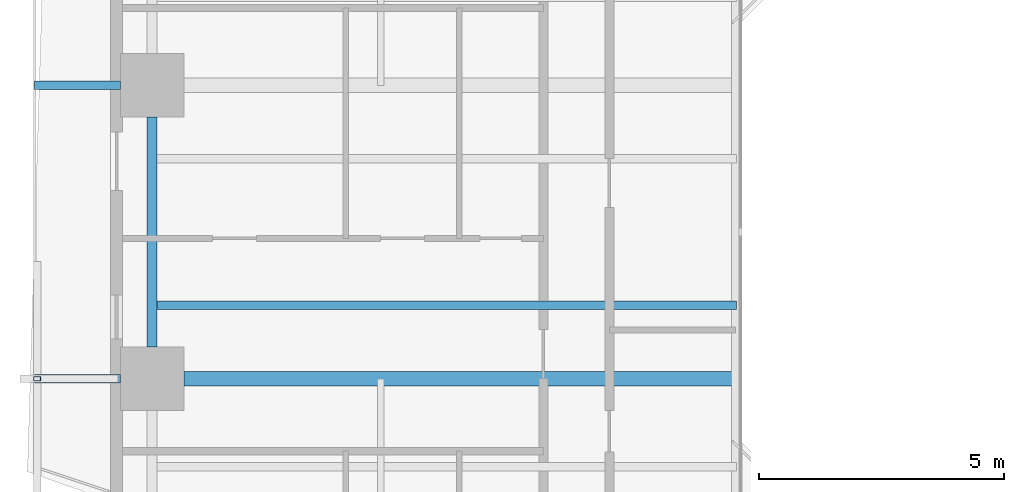
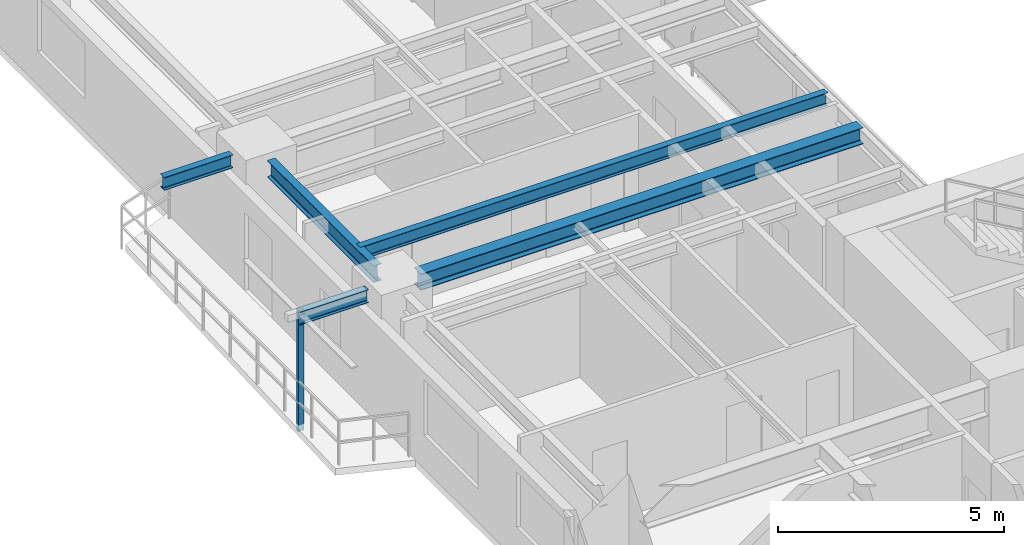
# One storey, part 3 of 24: 5 beams, 1 member.
"""IFC4 building model written with IfcOpenShell, lengths in metres."""

import ifcopenshell
import ifcopenshell.guid

model = None  # the IFC model being written
_history = None  # IfcOwnerHistory: only IFC2X3 demands one
_inside = {}  # id of a spatial element -> (the spatial element, [elements in it])
_under = {}  # id of a project, library or spatial element -> (it, [spatial elements below it])
_declared = {}  # id of a project -> (the project, [libraries it declares])
_typed = {}  # id of a type object -> (the type object, [elements of that type])
_made_of = {}  # id of a material, layer set ... -> (it, [elements and type objects made of it])


def new_model(schema):
    """Start an empty IFC model of exactly this schema.

    Asked for "IFC4X3", IfcOpenShell would pick the latest addendum, in which some entities
    have other attributes; the version numbers below select the first issue.
    IFC2X3 requires an IfcOwnerHistory on every rooted entity: one is made here for all.
    """
    global model, _history
    if schema == "IFC4X3":
        model = ifcopenshell.file(schema_version=(4, 3, 0, 0))
    else:
        model = ifcopenshell.file(schema=schema)
    _inside.clear()
    _under.clear()
    _declared.clear()
    _typed.clear()
    _made_of.clear()
    _history = None
    if model.schema == "IFC2X3":
        org = make("IfcOrganization", Name="unknown")
        user = make(
            "IfcPersonAndOrganization",
            ThePerson=make("IfcPerson", FamilyName="unknown"),
            TheOrganization=org,
        )
        app = make(
            "IfcApplication",
            ApplicationDeveloper=org,
            Version="unknown",
            ApplicationFullName="unknown",
            ApplicationIdentifier="unknown",
        )
        _history = make(
            "IfcOwnerHistory",
            OwningUser=user,
            OwningApplication=app,
            ChangeAction="ADDED",
            CreationDate=0,
        )
    return model


def make(cls, **values):
    """One entity of the class cls with the attributes given. An attribute that is None is left unset."""
    return model.create_entity(
        cls, **{name: value for name, value in values.items() if value is not None}
    )


def rooted(cls, **values):
    """An entity with a GlobalId (a new one), such as an element, a storey or a relation."""
    return make(cls, GlobalId=ifcopenshell.guid.new(), OwnerHistory=_history, **values)


def si_unit(unit_type, name, prefix=None):
    """IfcSIUnit, for example si_unit("LENGTHUNIT", "METRE", prefix="MILLI")."""
    return make("IfcSIUnit", UnitType=unit_type, Prefix=prefix, Name=name)


def assignment(units):
    """IfcUnitAssignment: the units of a project."""
    return None if units is None else make("IfcUnitAssignment", Units=units)


def point(xyz):
    """IfcCartesianPoint."""
    return None if xyz is None else make("IfcCartesianPoint", Coordinates=xyz)


def direction(xyz):
    """IfcDirection."""
    return None if xyz is None else make("IfcDirection", DirectionRatios=xyz)


def frame(location, z_axis=None, x_axis=None):
    """IfcAxis2Placement3D, a coordinate frame: its origin and axes. An axis left out is left unset."""
    return make(
        "IfcAxis2Placement3D",
        Location=point(location),
        Axis=direction(z_axis),
        RefDirection=direction(x_axis),
    )


def frame_2d(location, x_axis=None):
    """IfcAxis2Placement2D, a coordinate frame in the plane: its origin and x axis."""
    return make(
        "IfcAxis2Placement2D", Location=point(location), RefDirection=direction(x_axis)
    )


def origin():
    """The frame at (0, 0, 0) with its axes left unset."""
    return frame((0.0, 0.0, 0.0))


def origin_2d():
    """The frame at (0, 0) in the plane with its x axis left unset."""
    return frame_2d((0.0, 0.0))


def place(relative_to, where):
    """IfcLocalPlacement: puts the frame where relative to a parent placement (None: the world)."""
    return make(
        "IfcLocalPlacement", PlacementRelTo=relative_to, RelativePlacement=where
    )


def context(
    kind, dimensions, precision=None, world=None, true_north=None, identifier=None
):
    """IfcGeometricRepresentationContext, for example the 3D "Model" context."""
    return make(
        "IfcGeometricRepresentationContext",
        ContextIdentifier=identifier,
        ContextType=kind,
        CoordinateSpaceDimension=dimensions,
        Precision=precision,
        WorldCoordinateSystem=world,
        TrueNorth=true_north,
    )


def subcontext(parent, identifier, kind, view, scale=None):
    """IfcGeometricRepresentationSubContext, for example "Body" below "Model"."""
    return make(
        "IfcGeometricRepresentationSubContext",
        ContextIdentifier=identifier,
        ContextType=kind,
        ParentContext=parent,
        TargetScale=scale,
        TargetView=view,
    )


def project(units=None, contexts=None):
    """IfcProject with its units and contexts."""
    return rooted(
        "IfcProject",
        Name="project",
        RepresentationContexts=contexts,
        UnitsInContext=assignment(units),
    )


def spatial(cls, under=None, at=None, **own):
    """A site, building, storey or space (cls), placed at a placement, below another one or the project."""
    s = rooted(cls, ObjectPlacement=at, **own)
    if under is not None:
        _under.setdefault(under.id(), (under, []))[1].append(s)
    return s


def profile(cls, at=None, kind="AREA", **sizes):
    """A parametric profile (cls). Its sizes go by their IFC names, for example OverallWidth=200.0."""
    return make(cls, ProfileType=kind, Position=at, **sizes)


def hollow_rectangle(**sizes):
    """IfcRectangleHollowProfileDef."""
    return profile("IfcRectangleHollowProfileDef", **sizes)


def i_section(**sizes):
    """IfcIShapeProfileDef."""
    return profile("IfcIShapeProfileDef", **sizes)


def extrude(swept, where, along, depth):
    """IfcExtrudedAreaSolid: the profile swept, set in the frame where, extruded along a direction by depth."""
    return make(
        "IfcExtrudedAreaSolid",
        SweptArea=swept,
        Position=where,
        ExtrudedDirection=direction(along),
        Depth=depth,
    )


def shape(context_of_items, identifier, shape_type, items):
    """IfcShapeRepresentation: the items that make up one representation, for example the "Body"."""
    return make(
        "IfcShapeRepresentation",
        ContextOfItems=context_of_items,
        RepresentationIdentifier=identifier,
        RepresentationType=shape_type,
        Items=items,
    )


def source(mapping_origin, context_of_items, identifier, shape_type, items):
    """IfcRepresentationMap: a shape defined once, which mapped items show again and again."""
    return make(
        "IfcRepresentationMap",
        MappingOrigin=mapping_origin,
        MappedRepresentation=shape(context_of_items, identifier, shape_type, items),
    )


def transform(
    local_origin,
    x_axis=None,
    y_axis=None,
    z_axis=None,
    scale=None,
    scale2=None,
    scale3=None,
    uniform=True,
):
    """IfcCartesianTransformationOperator3D, or its non-uniform kind. x_axis, y_axis, z_axis: its Axis1, 2, 3."""
    if uniform:
        return make(
            "IfcCartesianTransformationOperator3D",
            Axis1=direction(x_axis),
            Axis2=direction(y_axis),
            LocalOrigin=point(local_origin),
            Scale=scale,
            Axis3=direction(z_axis),
        )
    return make(
        "IfcCartesianTransformationOperator3DnonUniform",
        Axis1=direction(x_axis),
        Axis2=direction(y_axis),
        LocalOrigin=point(local_origin),
        Scale=scale,
        Axis3=direction(z_axis),
        Scale2=scale2,
        Scale3=scale3,
    )


def mapped(mapping_source, mapping_target):
    """IfcMappedItem: shows the shape of a source again, moved by a transform."""
    return make(
        "IfcMappedItem", MappingSource=mapping_source, MappingTarget=mapping_target
    )


def material(Name=None, Category=None):
    """IfcMaterial."""
    return make("IfcMaterial", Name=Name, Category=Category)


def material_profile(
    of_material, cross_section, Name=None, Category=None, Priority=None
):
    """IfcMaterialProfile: a cross section and its material."""
    return make(
        "IfcMaterialProfile",
        Name=Name,
        Material=of_material,
        Profile=cross_section,
        Priority=Priority,
        Category=Category,
    )


def profile_set(profiles, Name=None, composite=None):
    """IfcMaterialProfileSet."""
    return make(
        "IfcMaterialProfileSet",
        Name=Name,
        MaterialProfiles=profiles,
        CompositeProfile=composite,
    )


def made_of(thing, what):
    """Note that an element or type object is made of a material, layer set ...; save() writes the relation."""
    if what is not None:
        _made_of.setdefault(what.id(), (what, []))[1].append(thing)
    return thing


def type_object(cls, material=None, **own):
    """A type object (cls), such as IfcWallType, which elements share."""
    return made_of(rooted(cls, **own), material)


def element(
    cls,
    number,
    at=None,
    inside=None,
    cuts=None,
    type_object=None,
    material=None,
    context=None,
    identifier="Body",
    shape_type=None,
    held_by="IfcProductDefinitionShape",
    body=None,
    shapes=None,
    **own,
):
    """One element of the class cls, such as IfcWall. Its Tag is "e" and its number.

    at: its placement. inside: the storey or other place that contains it. cuts: it is an
    opening in that element (IfcRelVoidsElement). A single representation is given by context,
    identifier, shape_type and body (its items); several are given by shapes. held_by: the class
    of the entity that holds the representations. save() writes the other relations.
    """
    e = rooted(cls, Tag="e%d" % number, ObjectPlacement=at, **own)
    if body is not None:
        shapes = [shape(context, identifier, shape_type, body)]
    if shapes is not None:
        e.Representation = make(held_by, Representations=shapes)
    if inside is not None:
        _inside.setdefault(inside.id(), (inside, []))[1].append(e)
    if cuts is not None:
        rooted(
            "IfcRelVoidsElement", RelatingBuildingElement=cuts, RelatedOpeningElement=e
        )
    if type_object is not None:
        _typed.setdefault(type_object.id(), (type_object, []))[1].append(e)
    return made_of(e, material)


def aggregate(whole, parts):
    """IfcRelAggregates: a whole, such as a stair, and the parts it consists of."""
    return rooted("IfcRelAggregates", RelatingObject=whole, RelatedObjects=parts)


def save(model, path):
    """Write the relations noted so far, then the file.

    IfcRelAggregates (storeys below a building ...), IfcRelContainedInSpatialStructure (elements
    in a storey), IfcRelDefinesByType, IfcRelAssociatesMaterial and IfcRelDeclares: one each for
    every whole, place, type object, material and project.
    """
    for whole, parts in _under.values():
        aggregate(whole, parts)
    for where, things in _inside.values():
        rooted(
            "IfcRelContainedInSpatialStructure",
            RelatedElements=things,
            RelatingStructure=where,
        )
    for kind, things in _typed.values():
        rooted("IfcRelDefinesByType", RelatedObjects=things, RelatingType=kind)
    for what, things in _made_of.values():
        rooted("IfcRelAssociatesMaterial", RelatedObjects=things, RelatingMaterial=what)
    for by, libraries in _declared.values():
        rooted("IfcRelDeclares", RelatingContext=by, RelatedDefinitions=libraries)
    model.write(path)


model = new_model("IFC4")

# Units and contexts
model_context = context("Model", 3, precision=1e-05, world=origin(), true_north=direction((0.0, 1.0)))
body_context = subcontext(model_context, "Body", "Model", "MODEL_VIEW")
ifc_project = project(units=[si_unit("LENGTHUNIT", "METRE"), si_unit("AREAUNIT", "SQUARE_METRE"), si_unit("VOLUMEUNIT", "CUBIC_METRE"), si_unit("PLANEANGLEUNIT", "RADIAN"), si_unit("MASSUNIT", "GRAM", prefix="KILO"), si_unit("THERMODYNAMICTEMPERATUREUNIT", "KELVIN"), si_unit("POWERUNIT", "WATT")], contexts=[model_context])

# Site, building, storey
site_placement = place(None, origin())
site = spatial("IfcSite", under=ifc_project, at=site_placement, CompositionType="ELEMENT")
building_placement = place(site_placement, origin())
building = spatial("IfcBuilding", under=site, at=building_placement, Name="Qiaomeng Ring Towers", CompositionType="ELEMENT")
storey_placement = place(building_placement, frame((0.0, 0.0, 36.0)))
storey = spatial("IfcBuildingStorey", under=building, at=storey_placement, Name="L09", CompositionType="ELEMENT", Elevation=36.0)

# Beams
ifc_material_1 = material(Name="Steel Q355B", Category="steel")
ifc_material_profile_1 = material_profile(ifc_material_1, i_section(OverallWidth=0.199951171875, OverallDepth=0.449951171875, WebThickness=0.009033203125, FlangeThickness=0.013916015625, FilletRadius=0.01806640625, at=origin_2d()), Name="HN 450x200x9x14")
ifc_profile_set_1 = profile_set([ifc_material_profile_1], Name="Steel Q355B")
beam_type_1 = type_object("IfcBeamType", Name="STR-BM-HN450", PredefinedType="SPANDREL", material=ifc_profile_set_1)
shared_shape_1 = source(origin(), body_context, "Body", "SweptSolid", [
    extrude(i_section(OverallWidth=0.199951171875, OverallDepth=0.449951171875, WebThickness=0.009033203125, FlangeThickness=0.013916015625, FilletRadius=0.01806640625, at=origin_2d()), origin(), (0.0, 0.0, 1.0), 4.7021484375),
])
beam_1_placement = place(storey_placement, frame((0.85009765625, 25.35107421875, 2.844970703125), z_axis=(0.0, -1.0, 0.0), x_axis=(1.0, 0.0, 0.0)))
element("IfcBeam", 1, at=beam_1_placement, inside=storey, type_object=beam_type_1, Name="L09 beam STR-SP-L09-T1-W3-W2", PredefinedType="SPANDREL", context=body_context, shape_type="MappedRepresentation", body=[
    mapped(shared_shape_1, transform((0.0, 0.0, 0.0), x_axis=(1.0, 0.0, 0.0), y_axis=(0.0, 1.0, 0.0), z_axis=(0.0, 0.0, 1.0), scale=1.0)),
])
ifc_material_profile_2 = material_profile(ifc_material_1, i_section(OverallWidth=0.300048828125, OverallDepth=0.43994140625, WebThickness=0.010986328125, FlangeThickness=0.01806640625, FilletRadius=0.02392578125, at=origin_2d()), Name="HM 440x300x11x18")
ifc_profile_set_2 = profile_set([ifc_material_profile_2], Name="Steel Q355B")
beam_type_2 = type_object("IfcBeamType", Name="STR-BM-HM440", PredefinedType="BEAM", material=ifc_profile_set_2)
shared_shape_2 = source(origin(), body_context, "Body", "SweptSolid", [
    extrude(i_section(OverallWidth=0.300048828125, OverallDepth=0.43994140625, WebThickness=0.010986328125, FlangeThickness=0.01806640625, FilletRadius=0.02392578125, at=origin_2d()), origin(), (0.0, 0.0, 1.0), 11.301025390625),
])
beam_2_placement = place(storey_placement, frame((1.4990234375, 20.0, 2.85009765625), z_axis=(1.0, 0.0, 0.0), x_axis=(0.0, 1.0, 0.0)))
element("IfcBeam", 2, at=beam_2_placement, inside=storey, type_object=beam_type_2, Name="L09 beam STR-BM-L09-T1-RAD-W2", PredefinedType="BEAM", context=body_context, shape_type="MappedRepresentation", body=[
    mapped(shared_shape_2, transform((0.0, 0.0, 0.0), x_axis=(1.0, 0.0, 0.0), y_axis=(0.0, 1.0, 0.0), z_axis=(0.0, 0.0, 1.0), scale=1.0)),
])
ifc_material_profile_3 = material_profile(ifc_material_1, i_section(OverallWidth=0.175048828125, OverallDepth=0.35009765625, WebThickness=0.007080078125, FlangeThickness=0.010986328125, FilletRadius=0.013916015625, at=origin_2d()), Name="HN 350x175x7x11")
ifc_profile_set_3 = profile_set([ifc_material_profile_3], Name="Steel Q355B")
beam_type_3 = type_object("IfcBeamType", Name="STR-BM-HN350", PredefinedType="JOIST", material=ifc_profile_set_3)
shared_shape_3 = source(origin(), body_context, "Body", "SweptSolid", [
    extrude(i_section(OverallWidth=0.175048828125, OverallDepth=0.35009765625, WebThickness=0.007080078125, FlangeThickness=0.010986328125, FilletRadius=0.013916015625, at=origin_2d()), origin(), (0.0, 0.0, 1.0), 1.7509765625),
])
for number, where, z_axis, x_axis, name in (
    (3, (-1.550048828125, 20.0, 2.89501953125), (1.0, 0.0, 0.0), (0.0, 1.0, 0.0), "L09 beam STR-BALBM-L09-W2"),
    (4, (-1.550048828125, 26.0, 2.89501953125), (1.0, 0.0, 0.0), (0.0, 1.0, 0.0), "L09 beam STR-BALBM-L09-W3"),
):
    element("IfcBeam", number, at=place(storey_placement, frame(where, z_axis=z_axis, x_axis=x_axis)), inside=storey, type_object=beam_type_3, Name=name, PredefinedType="JOIST", context=body_context, shape_type="MappedRepresentation", body=[
        mapped(shared_shape_3, transform((0.0, 0.0, 0.0), x_axis=(1.0, 0.0, 0.0), y_axis=(0.0, 1.0, 0.0), z_axis=(0.0, 0.0, 1.0), scale=1.0)),
    ])
shared_shape_4 = source(origin(), body_context, "Body", "SweptSolid", [
    extrude(i_section(OverallWidth=0.175048828125, OverallDepth=0.35009765625, WebThickness=0.007080078125, FlangeThickness=0.010986328125, FilletRadius=0.013916015625, at=origin_2d()), origin(), (0.0, 0.0, 1.0), 11.949951171875),
])
beam_3_placement = place(storey_placement, frame((0.85009765625, 21.5, 2.89501953125), z_axis=(1.0, 0.0, 0.0), x_axis=(0.0, 1.0, 0.0)))
element("IfcBeam", 5, at=beam_3_placement, inside=storey, type_object=beam_type_3, Name="L09 beam STR-JST-L09-T1W-2", PredefinedType="JOIST", context=body_context, shape_type="MappedRepresentation", body=[
    mapped(shared_shape_4, transform((0.0, 0.0, 0.0), x_axis=(1.0, 0.0, 0.0), y_axis=(0.0, 1.0, 0.0), z_axis=(0.0, 0.0, 1.0), scale=1.0)),
])

# Member
ifc_material_2 = material(Name="Stainless steel 316", Category="steel")
ifc_material_profile_4 = material_profile(ifc_material_2, hollow_rectangle(XDim=0.090087890625, YDim=0.139892578125, WallThickness=0.0048828125, at=origin_2d()), Name="SS TRELLIS 90x140")
ifc_profile_set_4 = profile_set([ifc_material_profile_4], Name="Stainless steel 316")
member_type = type_object("IfcMemberType", Name="ARC-TR-POST1", PredefinedType="STUD", material=ifc_profile_set_4)
shared_shape_5 = source(origin(), body_context, "Body", "SweptSolid", [
    extrude(hollow_rectangle(XDim=0.090087890625, YDim=0.139892578125, WallThickness=0.0048828125, at=origin_2d()), origin(), (0.0, 0.0, 1.0), 3.25),
])
member_placement = place(storey_placement, frame((-1.5, 20.0, -0.179931640625), z_axis=(0.0, 0.0, 1.0), x_axis=(0.0, 1.0, 0.0)))
element("IfcMember", 6, at=member_placement, inside=storey, type_object=member_type, Name="L09 Outer Ventilated Trellis Post W", PredefinedType="STUD", context=body_context, shape_type="MappedRepresentation", body=[
    mapped(shared_shape_5, transform((0.0, 0.0, 0.0), x_axis=(1.0, 0.0, 0.0), y_axis=(0.0, 1.0, 0.0), z_axis=(0.0, 0.0, 1.0), scale=1.0)),
])

save(model, "model.ifc")
